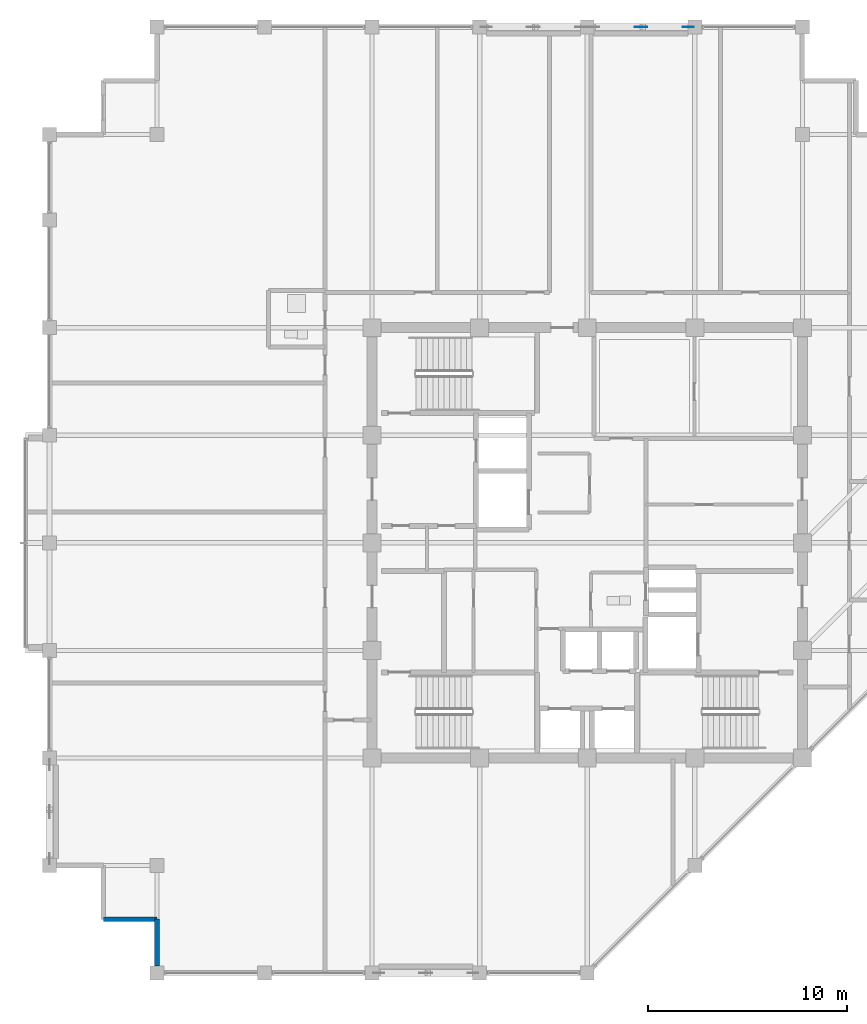
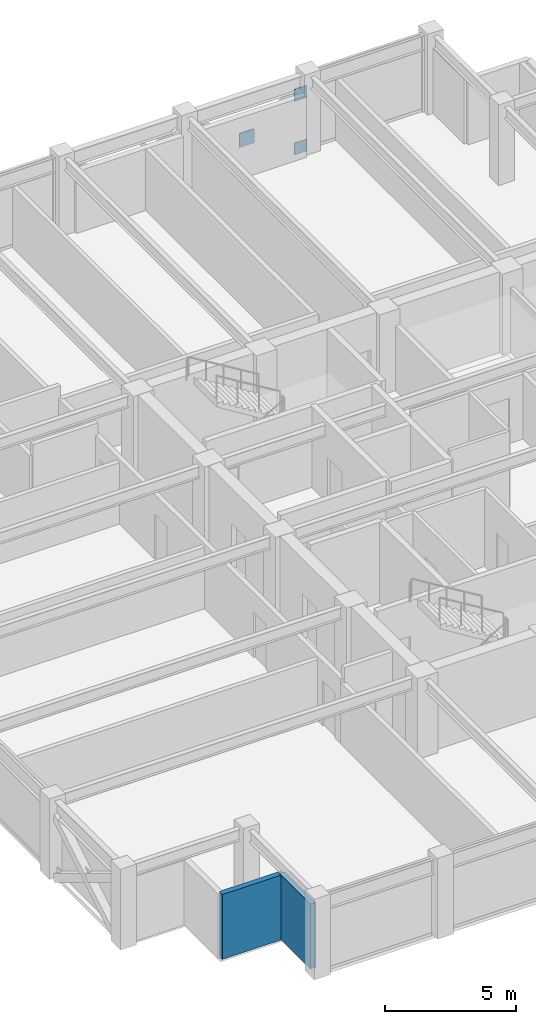
# One storey, part 25 of 32: 3 plates, 2 walls.
"""IFC4 building model written with IfcOpenShell, lengths in metres."""

from ifc_helpers import new_model, si_unit, direction, frame, frame_2d, origin, origin_2d, place, context, subcontext, project, spatial, rectangle, extrude, material, layer, layer_set, type_object, element, save


model = new_model("IFC4")

# Units and contexts
model_context = context("Model", 3, precision=1e-05, world=origin(), true_north=direction((0.0, 1.0)))
body_context = subcontext(model_context, "Body", "Model", "MODEL_VIEW")
ifc_project = project(units=[si_unit("LENGTHUNIT", "METRE"), si_unit("AREAUNIT", "SQUARE_METRE"), si_unit("VOLUMEUNIT", "CUBIC_METRE"), si_unit("PLANEANGLEUNIT", "RADIAN"), si_unit("MASSUNIT", "GRAM", prefix="KILO")], contexts=[model_context])

# Site, building, storey
site_placement = place(None, origin())
site = spatial("IfcSite", under=ifc_project, at=site_placement, CompositionType="ELEMENT")
building_placement = place(site_placement, origin())
building = spatial("IfcBuilding", under=site, at=building_placement, Name="Surkhivell Harbour Commons", CompositionType="ELEMENT")
storey_placement = place(building_placement, frame((0.0, 0.0, 311.25)))
storey = spatial("IfcBuildingStorey", under=building, at=storey_placement, Name="L81", CompositionType="ELEMENT", Elevation=311.25)

# Plates
ifc_material_1 = material(Name="Steel S460", Category="steel")
ifc_layer_1 = layer(ifc_material_1, 0.035888671875)
ifc_layer_set_1 = layer_set([ifc_layer_1], Name="Steel S460")
plate_type_1 = type_object("IfcPlateType", Name="PLT-GUS-550", PredefinedType="USERDEFINED", material=ifc_layer_set_1)
for number, where, z_axis, x_axis, name in (
    (1, (5.06494140625, 25.89990234375, -0.07470703125), (0.0, 0.0, 1.0), (1.0, 0.0, 0.0), "L81 Perimeter Mega-Brace MB- Corner Gusset N2-2"),
    (2, (5.06494140625, 25.89990234375, 2.41357421875), (0.0, 0.0, 1.0), (1.0, 0.0, 0.0), "L81 Perimeter Mega-Brace MB- Corner Gusset N2-4"),
):
    element("IfcPlate", number, at=place(storey_placement, frame(where, z_axis=z_axis, x_axis=x_axis)), inside=storey, type_object=plate_type_1, Name=name, ObjectType="GUSSET_PLATE", PredefinedType="USERDEFINED", context=body_context, shape_type="SweptSolid", body=[
        extrude(rectangle(XDim=0.550048828125, YDim=0.035888671875, at=origin_2d()), origin(), (0.0, 0.0, 1.0), 0.550048828125),
    ])
ifc_layer_2 = layer(ifc_material_1, 0.044921875)
ifc_layer_set_2 = layer_set([ifc_layer_2], Name="Steel S460")
plate_type_2 = type_object("IfcPlateType", Name="PLT-GUS-650", PredefinedType="USERDEFINED", material=ifc_layer_set_2)
plate_placement = place(storey_placement, frame((2.699951171875, 25.89990234375, 1.11962890625), z_axis=(0.0, 0.0, 1.0), x_axis=(1.0, 0.0, 0.0)))
element("IfcPlate", 3, at=plate_placement, inside=storey, type_object=plate_type_2, Name="L81 Perimeter Mega-Brace MB- Central Crossing Gusset N2", ObjectType="GUSSET_PLATE", PredefinedType="USERDEFINED", context=body_context, shape_type="SweptSolid", body=[
    extrude(rectangle(XDim=0.64990234375, YDim=0.044921875, at=origin_2d()), origin(), (0.0, 0.0, 1.0), 0.64990234375),
])

# Walls
ifc_material_2 = material(Name="Bronze-ochre cassette precast concrete C45/55", Category="concrete")
ifc_layer_3 = layer(ifc_material_2, 0.239990234375)
ifc_layer_set_3 = layer_set([ifc_layer_3], Name="Bronze-ochre cassette precast concrete C45/55")
wall_type = type_object("IfcWallType", Name="WAL-EXT-OCH240", PredefinedType="STANDARD", material=ifc_layer_set_3)
wall_1_placement = place(storey_placement, frame((-24.300048828125, -18.89990234375, 0.0), z_axis=(0.0, 0.0, 1.0), x_axis=(1.0, 0.0, 0.0)))
element("IfcWall", 4, at=wall_1_placement, inside=storey, type_object=wall_type, Name="L81 Serrated Corner Facade Wall 15", PredefinedType="STANDARD", context=body_context, shape_type="SweptSolid", body=[
    extrude(rectangle(XDim=2.699951171875, YDim=0.239990234375, at=frame_2d((1.35009765625, 0.0))), origin(), (0.0, 0.0, 1.0), 3.012939453125),
])
wall_2_placement = place(storey_placement, frame((-21.60009765625, -18.89990234375, 0.0), z_axis=(0.0, 0.0, 1.0), x_axis=(0.0, -1.0, 0.0)))
element("IfcWall", 5, at=wall_2_placement, inside=storey, type_object=wall_type, Name="L81 Serrated Corner Facade Wall 16", PredefinedType="STANDARD", context=body_context, shape_type="SweptSolid", body=[
    extrude(rectangle(XDim=2.35205078125, YDim=0.239990234375, at=frame_2d((1.176025390625, 0.0))), origin(), (0.0, 0.0, 1.0), 3.012939453125),
])

save(model, "model.ifc")
